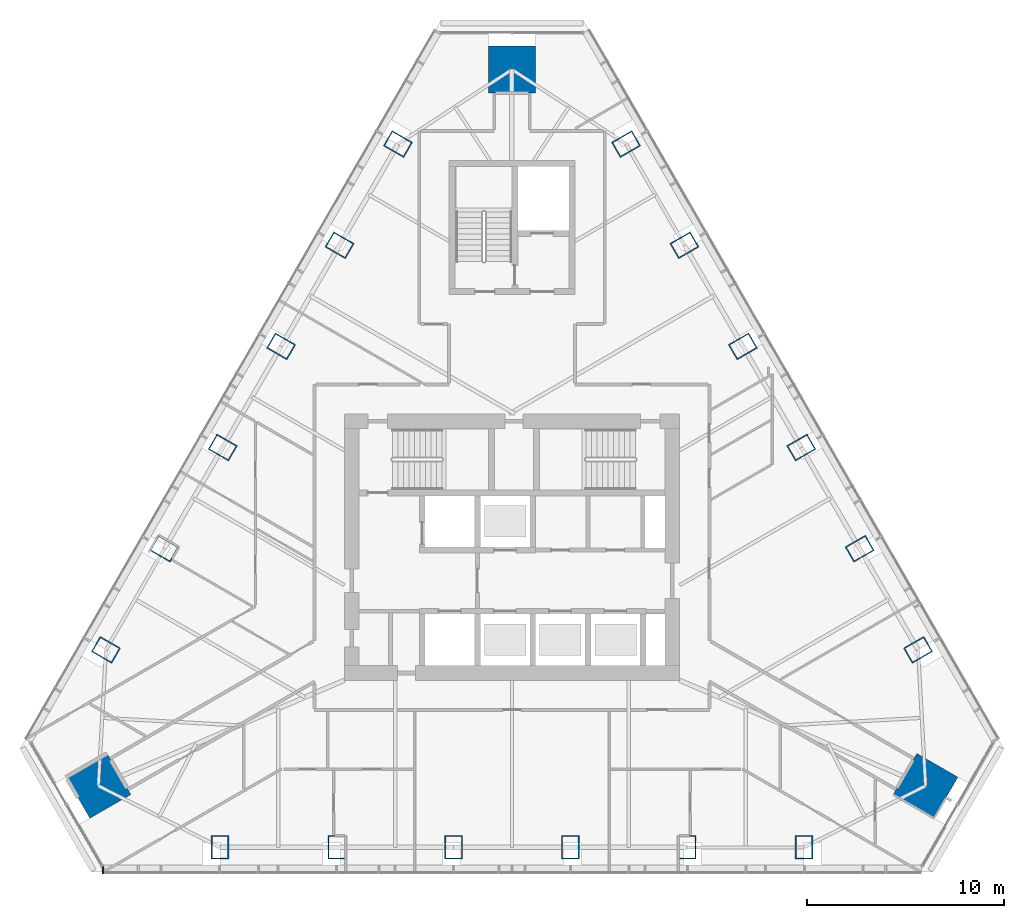
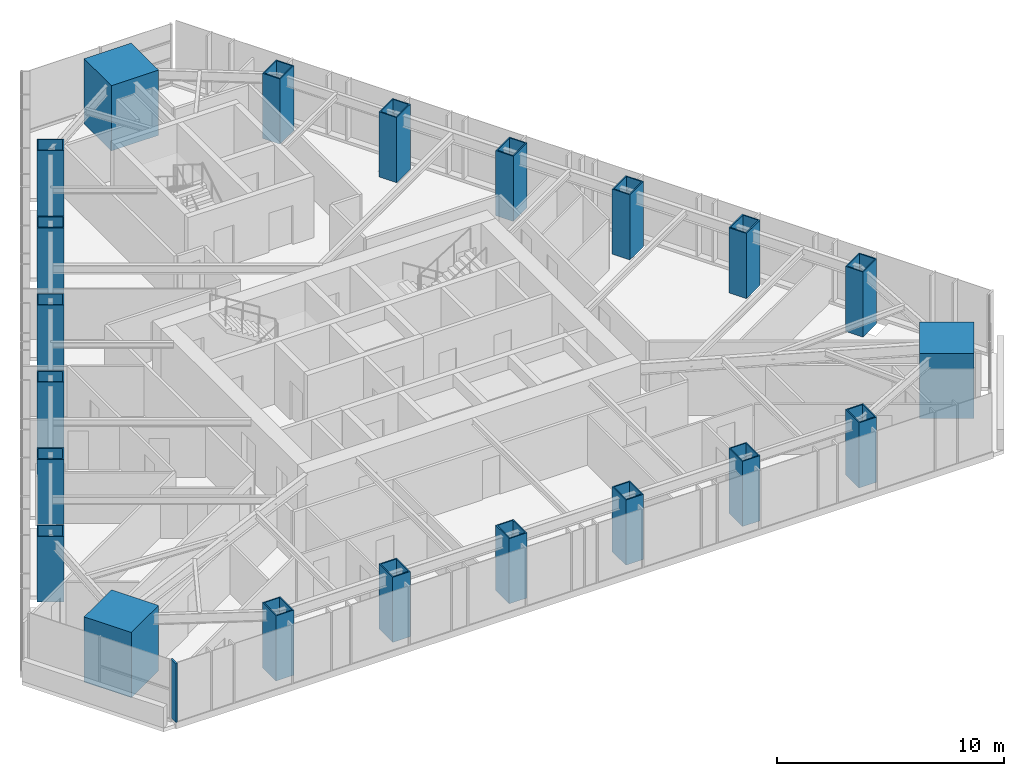
# One storey, part 1 of 15: 21 columns, 1 member, 1 element without a shape of its own.
"""IFC4 building model written with IfcOpenShell, lengths in metres."""

import ifcopenshell
import ifcopenshell.guid

model = None  # the IFC model being written
_history = None  # IfcOwnerHistory: only IFC2X3 demands one
_inside = {}  # id of a spatial element -> (the spatial element, [elements in it])
_under = {}  # id of a project, library or spatial element -> (it, [spatial elements below it])
_declared = {}  # id of a project -> (the project, [libraries it declares])
_typed = {}  # id of a type object -> (the type object, [elements of that type])
_made_of = {}  # id of a material, layer set ... -> (it, [elements and type objects made of it])


def new_model(schema):
    """Start an empty IFC model of exactly this schema.

    Asked for "IFC4X3", IfcOpenShell would pick the latest addendum, in which some entities
    have other attributes; the version numbers below select the first issue.
    IFC2X3 requires an IfcOwnerHistory on every rooted entity: one is made here for all.
    """
    global model, _history
    if schema == "IFC4X3":
        model = ifcopenshell.file(schema_version=(4, 3, 0, 0))
    else:
        model = ifcopenshell.file(schema=schema)
    _inside.clear()
    _under.clear()
    _declared.clear()
    _typed.clear()
    _made_of.clear()
    _history = None
    if model.schema == "IFC2X3":
        org = make("IfcOrganization", Name="unknown")
        user = make(
            "IfcPersonAndOrganization",
            ThePerson=make("IfcPerson", FamilyName="unknown"),
            TheOrganization=org,
        )
        app = make(
            "IfcApplication",
            ApplicationDeveloper=org,
            Version="unknown",
            ApplicationFullName="unknown",
            ApplicationIdentifier="unknown",
        )
        _history = make(
            "IfcOwnerHistory",
            OwningUser=user,
            OwningApplication=app,
            ChangeAction="ADDED",
            CreationDate=0,
        )
    return model


def make(cls, **values):
    """One entity of the class cls with the attributes given. An attribute that is None is left unset."""
    return model.create_entity(
        cls, **{name: value for name, value in values.items() if value is not None}
    )


def rooted(cls, **values):
    """An entity with a GlobalId (a new one), such as an element, a storey or a relation."""
    return make(cls, GlobalId=ifcopenshell.guid.new(), OwnerHistory=_history, **values)


def si_unit(unit_type, name, prefix=None):
    """IfcSIUnit, for example si_unit("LENGTHUNIT", "METRE", prefix="MILLI")."""
    return make("IfcSIUnit", UnitType=unit_type, Prefix=prefix, Name=name)


def assignment(units):
    """IfcUnitAssignment: the units of a project."""
    return None if units is None else make("IfcUnitAssignment", Units=units)


def point(xyz):
    """IfcCartesianPoint."""
    return None if xyz is None else make("IfcCartesianPoint", Coordinates=xyz)


def direction(xyz):
    """IfcDirection."""
    return None if xyz is None else make("IfcDirection", DirectionRatios=xyz)


def frame(location, z_axis=None, x_axis=None):
    """IfcAxis2Placement3D, a coordinate frame: its origin and axes. An axis left out is left unset."""
    return make(
        "IfcAxis2Placement3D",
        Location=point(location),
        Axis=direction(z_axis),
        RefDirection=direction(x_axis),
    )


def frame_2d(location, x_axis=None):
    """IfcAxis2Placement2D, a coordinate frame in the plane: its origin and x axis."""
    return make(
        "IfcAxis2Placement2D", Location=point(location), RefDirection=direction(x_axis)
    )


def origin():
    """The frame at (0, 0, 0) with its axes left unset."""
    return frame((0.0, 0.0, 0.0))


def origin_2d():
    """The frame at (0, 0) in the plane with its x axis left unset."""
    return frame_2d((0.0, 0.0))


def place(relative_to, where):
    """IfcLocalPlacement: puts the frame where relative to a parent placement (None: the world)."""
    return make(
        "IfcLocalPlacement", PlacementRelTo=relative_to, RelativePlacement=where
    )


def context(
    kind, dimensions, precision=None, world=None, true_north=None, identifier=None
):
    """IfcGeometricRepresentationContext, for example the 3D "Model" context."""
    return make(
        "IfcGeometricRepresentationContext",
        ContextIdentifier=identifier,
        ContextType=kind,
        CoordinateSpaceDimension=dimensions,
        Precision=precision,
        WorldCoordinateSystem=world,
        TrueNorth=true_north,
    )


def subcontext(parent, identifier, kind, view, scale=None):
    """IfcGeometricRepresentationSubContext, for example "Body" below "Model"."""
    return make(
        "IfcGeometricRepresentationSubContext",
        ContextIdentifier=identifier,
        ContextType=kind,
        ParentContext=parent,
        TargetScale=scale,
        TargetView=view,
    )


def project(units=None, contexts=None):
    """IfcProject with its units and contexts."""
    return rooted(
        "IfcProject",
        Name="project",
        RepresentationContexts=contexts,
        UnitsInContext=assignment(units),
    )


def spatial(cls, under=None, at=None, **own):
    """A site, building, storey or space (cls), placed at a placement, below another one or the project."""
    s = rooted(cls, ObjectPlacement=at, **own)
    if under is not None:
        _under.setdefault(under.id(), (under, []))[1].append(s)
    return s


def profile(cls, at=None, kind="AREA", **sizes):
    """A parametric profile (cls). Its sizes go by their IFC names, for example OverallWidth=200.0."""
    return make(cls, ProfileType=kind, Position=at, **sizes)


def rectangle(**sizes):
    """IfcRectangleProfileDef."""
    return profile("IfcRectangleProfileDef", **sizes)


def hollow_rectangle(**sizes):
    """IfcRectangleHollowProfileDef."""
    return profile("IfcRectangleHollowProfileDef", **sizes)


def extrude(swept, where, along, depth):
    """IfcExtrudedAreaSolid: the profile swept, set in the frame where, extruded along a direction by depth."""
    return make(
        "IfcExtrudedAreaSolid",
        SweptArea=swept,
        Position=where,
        ExtrudedDirection=direction(along),
        Depth=depth,
    )


def shape(context_of_items, identifier, shape_type, items):
    """IfcShapeRepresentation: the items that make up one representation, for example the "Body"."""
    return make(
        "IfcShapeRepresentation",
        ContextOfItems=context_of_items,
        RepresentationIdentifier=identifier,
        RepresentationType=shape_type,
        Items=items,
    )


def material(Name=None, Category=None):
    """IfcMaterial."""
    return make("IfcMaterial", Name=Name, Category=Category)


def layer(
    of_material, thickness, ventilated=None, Name=None, Category=None, Priority=None
):
    """IfcMaterialLayer: one layer of a wall or slab, of a material (None: an air gap)."""
    return make(
        "IfcMaterialLayer",
        Material=of_material,
        LayerThickness=thickness,
        IsVentilated=ventilated,
        Name=Name,
        Category=Category,
        Priority=Priority,
    )


def layer_set(layers, Name=None):
    """IfcMaterialLayerSet."""
    return make("IfcMaterialLayerSet", MaterialLayers=layers, LayerSetName=Name)


def material_profile(
    of_material, cross_section, Name=None, Category=None, Priority=None
):
    """IfcMaterialProfile: a cross section and its material."""
    return make(
        "IfcMaterialProfile",
        Name=Name,
        Material=of_material,
        Profile=cross_section,
        Priority=Priority,
        Category=Category,
    )


def profile_set(profiles, Name=None, composite=None):
    """IfcMaterialProfileSet."""
    return make(
        "IfcMaterialProfileSet",
        Name=Name,
        MaterialProfiles=profiles,
        CompositeProfile=composite,
    )


def made_of(thing, what):
    """Note that an element or type object is made of a material, layer set ...; save() writes the relation."""
    if what is not None:
        _made_of.setdefault(what.id(), (what, []))[1].append(thing)
    return thing


def type_object(cls, material=None, **own):
    """A type object (cls), such as IfcWallType, which elements share."""
    return made_of(rooted(cls, **own), material)


def element(
    cls,
    number,
    at=None,
    inside=None,
    cuts=None,
    type_object=None,
    material=None,
    context=None,
    identifier="Body",
    shape_type=None,
    held_by="IfcProductDefinitionShape",
    body=None,
    shapes=None,
    **own,
):
    """One element of the class cls, such as IfcWall. Its Tag is "e" and its number.

    at: its placement. inside: the storey or other place that contains it. cuts: it is an
    opening in that element (IfcRelVoidsElement). A single representation is given by context,
    identifier, shape_type and body (its items); several are given by shapes. held_by: the class
    of the entity that holds the representations. save() writes the other relations.
    """
    e = rooted(cls, Tag="e%d" % number, ObjectPlacement=at, **own)
    if body is not None:
        shapes = [shape(context, identifier, shape_type, body)]
    if shapes is not None:
        e.Representation = make(held_by, Representations=shapes)
    if inside is not None:
        _inside.setdefault(inside.id(), (inside, []))[1].append(e)
    if cuts is not None:
        rooted(
            "IfcRelVoidsElement", RelatingBuildingElement=cuts, RelatedOpeningElement=e
        )
    if type_object is not None:
        _typed.setdefault(type_object.id(), (type_object, []))[1].append(e)
    return made_of(e, material)


def aggregate(whole, parts):
    """IfcRelAggregates: a whole, such as a stair, and the parts it consists of."""
    return rooted("IfcRelAggregates", RelatingObject=whole, RelatedObjects=parts)


def save(model, path):
    """Write the relations noted so far, then the file.

    IfcRelAggregates (storeys below a building ...), IfcRelContainedInSpatialStructure (elements
    in a storey), IfcRelDefinesByType, IfcRelAssociatesMaterial and IfcRelDeclares: one each for
    every whole, place, type object, material and project.
    """
    for whole, parts in _under.values():
        aggregate(whole, parts)
    for where, things in _inside.values():
        rooted(
            "IfcRelContainedInSpatialStructure",
            RelatedElements=things,
            RelatingStructure=where,
        )
    for kind, things in _typed.values():
        rooted("IfcRelDefinesByType", RelatedObjects=things, RelatingType=kind)
    for what, things in _made_of.values():
        rooted("IfcRelAssociatesMaterial", RelatedObjects=things, RelatingMaterial=what)
    for by, libraries in _declared.values():
        rooted("IfcRelDeclares", RelatingContext=by, RelatedDefinitions=libraries)
    model.write(path)


model = new_model("IFC4")

# Units and contexts
model_context = context("Model", 3, precision=1e-05, world=origin(), true_north=direction((0.0, 1.0)))
body_context = subcontext(model_context, "Body", "Model", "MODEL_VIEW")
ifc_project = project(units=[si_unit("LENGTHUNIT", "METRE"), si_unit("AREAUNIT", "SQUARE_METRE"), si_unit("VOLUMEUNIT", "CUBIC_METRE"), si_unit("PLANEANGLEUNIT", "RADIAN"), si_unit("MASSUNIT", "GRAM", prefix="KILO")], contexts=[model_context])

# Site, building, storey
site_placement = place(None, origin())
site = spatial("IfcSite", under=ifc_project, at=site_placement, CompositionType="ELEMENT")
building_placement = place(site_placement, origin())
building = spatial("IfcBuilding", under=site, at=building_placement, Name="Firuza Gate Tower and Library", CompositionType="ELEMENT")
storey_placement = place(building_placement, frame((0.0, 0.0, 309.10009765625)))
storey = spatial("IfcBuildingStorey", under=building, at=storey_placement, Name="L75", CompositionType="ELEMENT", Elevation=309.10009765625)

# Columns
ifc_material_1 = material(Name="Steel S355", Category="steel")
ifc_material_profile_1 = material_profile(ifc_material_1, hollow_rectangle(XDim=0.89990234375, YDim=1.199951171875, WallThickness=0.06005859375, at=origin_2d()))
ifc_profile_set_1 = profile_set([ifc_material_profile_1], Name="Steel S355")
column_type_1 = type_object("IfcColumnType", Name="BU1200x900x60 Composite box column", PredefinedType="COLUMN", material=ifc_profile_set_1)
for number, where, z_axis, x_axis, name in (
    (1, (60.199951171875, 59.7802734375, -0.00048828125), (0.0, 0.0, 1.0), (1.0, 0.0, 0.0), "Column S1 L75"),
    (2, (66.1201171875, 59.7802734375, -0.00048828125), (0.0, 0.0, 1.0), (1.0, 0.0, 0.0), "Column S2 L75"),
    (3, (72.0400390625, 59.7802734375, -0.00048828125), (0.0, 0.0, 1.0), (1.0, 0.0, 0.0), "Column S3 L75"),
    (4, (77.9599609375, 59.7802734375, -0.00048828125), (0.0, 0.0, 1.0), (1.0, 0.0, 0.0), "Column S4 L75"),
    (5, (83.8798828125, 59.7802734375, -0.00048828125), (0.0, 0.0, 1.0), (1.0, 0.0, 0.0), "Column S5 L75"),
    (6, (89.800048828125, 59.7802734375, -0.00048828125), (0.0, 0.0, 1.0), (1.0, 0.0, 0.0), "Column S6 L75"),
    (7, (95.58056640625, 69.792724609375, -0.00048828125), (0.0, 0.0, 1.0), (-0.5, 0.866025403784, 0.0), "Column E1 L75"),
    (8, (92.62060546875, 74.91943359375, -0.00048828125), (0.0, 0.0, 1.0), (-0.5, 0.866025403784, 0.0), "Column E2 L75"),
    (9, (89.66064453125, 80.04638671875, -0.00048828125), (0.0, 0.0, 1.0), (-0.5, 0.866025403784, 0.0), "Column E3 L75"),
    (10, (86.70068359375, 85.17333984375, -0.00048828125), (0.0, 0.0, 1.0), (-0.5, 0.866025403784, 0.0), "Column E4 L75"),
    (11, (83.740478515625, 90.300048828125, -0.00048828125), (0.0, 0.0, 1.0), (-0.5, 0.866025403784, 0.0), "Column E5 L75"),
    (12, (80.780517578125, 95.427001953125, -0.00048828125), (0.0, 0.0, 1.0), (-0.5, 0.866025403784, 0.0), "Column E6 L75"),
    (13, (69.219482421875, 95.427001953125, -0.00048828125), (0.0, 0.0, 1.0), (-0.5, -0.866025403784, 0.0), "Column W1 L75"),
    (14, (66.259521484375, 90.300048828125, -0.00048828125), (0.0, 0.0, 1.0), (-0.5, -0.866025403784, 0.0), "Column W2 L75"),
    (15, (63.29931640625, 85.17333984375, -0.00048828125), (0.0, 0.0, 1.0), (-0.5, -0.866025403784, 0.0), "Column W3 L75"),
    (16, (60.33935546875, 80.04638671875, -0.00048828125), (0.0, 0.0, 1.0), (-0.5, -0.866025403784, 0.0), "Column W4 L75"),
    (17, (57.37939453125, 74.91943359375, -0.00048828125), (0.0, 0.0, 1.0), (-0.5, -0.866025403784, 0.0), "Column W5 L75"),
    (18, (54.41943359375, 69.792724609375, -0.00048828125), (0.0, 0.0, 1.0), (-0.5, -0.866025403784, 0.0), "Column W6 L75"),
):
    element("IfcColumn", number, at=place(storey_placement, frame(where, z_axis=z_axis, x_axis=x_axis)), inside=storey, type_object=column_type_1, Name=name, PredefinedType="COLUMN", context=body_context, shape_type="SweptSolid", body=[
        extrude(hollow_rectangle(XDim=0.89990234375, YDim=1.199951171875, WallThickness=0.06005859375, at=origin_2d()), origin(), (0.0, 0.0, 1.0), 3.50048828125),
    ])
ifc_material_2 = material(Name="Concrete C80/95", Category="concrete")
ifc_material_profile_2 = material_profile(ifc_material_2, rectangle(XDim=2.39990234375, YDim=2.39990234375, at=origin_2d()))
ifc_profile_set_2 = profile_set([ifc_material_profile_2], Name="Concrete C80/95")
column_type_2 = type_object("IfcColumnType", Name="Mega column 2400x2400 C80/95", PredefinedType="COLUMN", material=ifc_profile_set_2)
for number, where, z_axis, x_axis, name in (
    (19, (95.961181640625, 62.898193359375, 0.0), (0.0, 0.0, 1.0), (0.5, 0.866025403784, 0.0), "Mega column SE L75"),
    (20, (75.0, 99.203857421875, 0.0), (0.0, 0.0, 1.0), (-1.0, 0.0, 0.0), "Mega column N L75"),
    (21, (54.038818359375, 62.898193359375, 0.0), (0.0, 0.0, 1.0), (0.5, -0.866025403784, 0.0), "Mega column SW L75"),
):
    element("IfcColumn", number, at=place(storey_placement, frame(where, z_axis=z_axis, x_axis=x_axis)), inside=storey, type_object=column_type_2, Name=name, PredefinedType="COLUMN", context=body_context, shape_type="SweptSolid", body=[
        extrude(rectangle(XDim=2.39990234375, YDim=2.39990234375, at=origin_2d()), origin(), (0.0, 0.0, 1.0), 3.5),
    ])

# Curtain wall, member
ifc_material_3 = material(Name="Aluminium 6063-T6", Category="aluminium")
ifc_layer = layer(ifc_material_3, 0.14990234375)
ifc_layer_set = layer_set([ifc_layer], Name="Unitised curtain wall, residences")
curtain_wall_type = type_object("IfcCurtainWallType", Name="Unitised curtain wall, residences", PredefinedType="NOTDEFINED", material=ifc_layer_set)
curtain_wall_placement = place(storey_placement, origin())
curtain_wall = element("IfcCurtainWall", 22, at=curtain_wall_placement, inside=storey, type_object=curtain_wall_type, Name="CW3 L75 S face", PredefinedType="NOTDEFINED")
ifc_material_4 = material(Name="Aluminium 6063-T6", Category="aluminium")
ifc_material_profile_3 = material_profile(ifc_material_4, rectangle(XDim=0.43994140625, YDim=0.080078125, at=origin_2d()))
ifc_profile_set_3 = profile_set([ifc_material_profile_3], Name="Aluminium 6063-T6")
member_type = type_object("IfcMemberType", Name="Curtain wall mullion 80x440", PredefinedType="MULLION", material=ifc_profile_set_3)
member_placement = place(storey_placement, frame((54.276611328125, 58.660400390625, 0.14990234375), z_axis=(0.0, 0.0, 1.0), x_axis=(0.0, 1.0, 0.0)))
member = element("IfcMember", 23, at=member_placement, type_object=member_type, Name="Mullion", PredefinedType="MULLION", context=body_context, shape_type="SweptSolid", body=[
    extrude(rectangle(XDim=0.43994140625, YDim=0.080078125, at=origin_2d()), origin(), (0.0, 0.0, 1.0), 3.14990234375),
])
aggregate(curtain_wall, [member])

save(model, "model.ifc")
